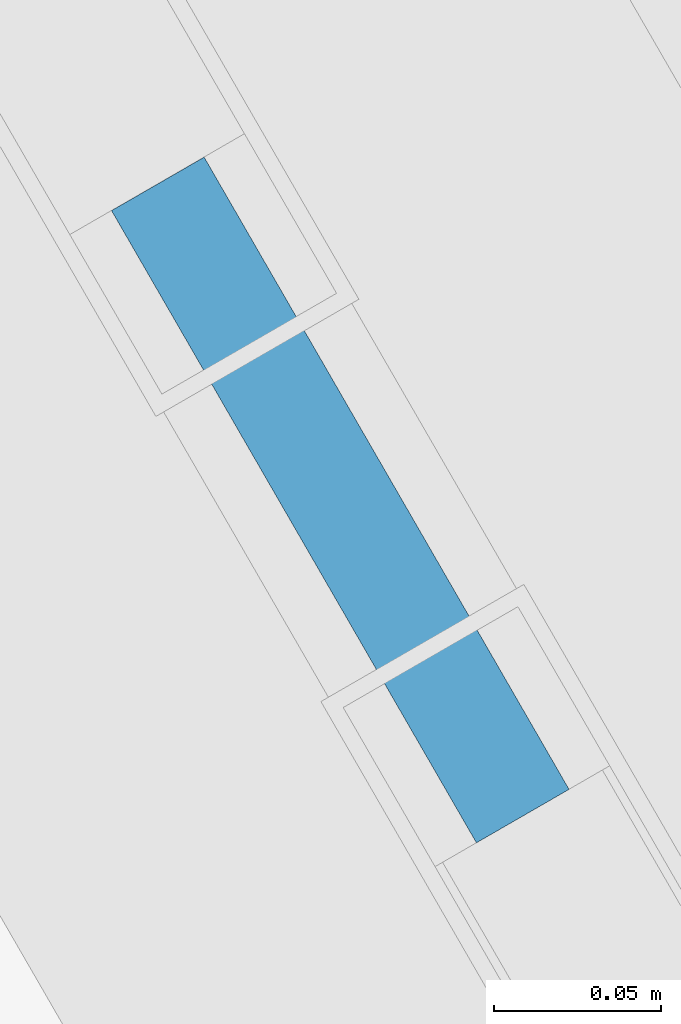
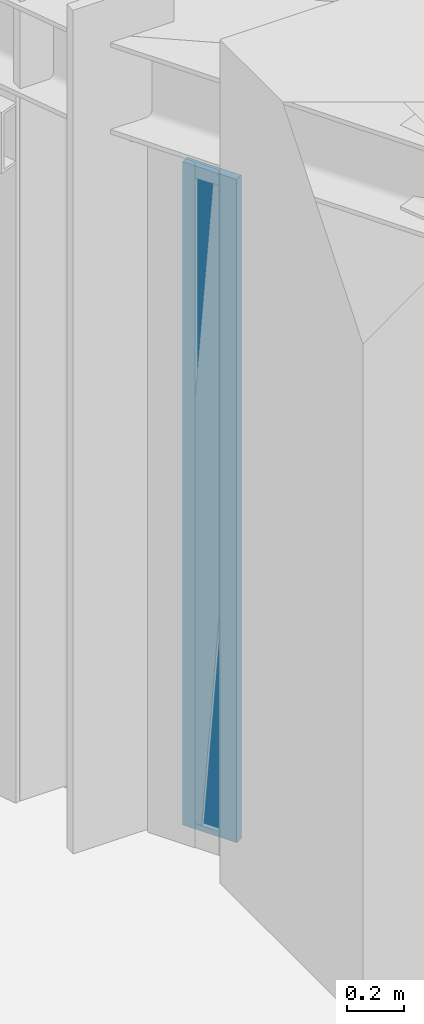
# One storey, part 12 of 19: 1 plate, 1 element without a shape of its own.
"""IFC4 building model written with IfcOpenShell, lengths in metres."""

from ifc_helpers import new_model, si_unit, derived_unit, direction, frame, origin, origin_2d, place, context, subcontext, project, spatial, rectangle, extrude, source, transform, mapped, material, layer, layer_set, type_object, element, aggregate, save


model = new_model("IFC4")

# Units and contexts
model_context = context("Model", 3, precision=1e-05, world=origin(), true_north=direction((0.0, 1.0)))
body_context = subcontext(model_context, "Body", "Model", "MODEL_VIEW")
ifc_project = project(units=[si_unit("LENGTHUNIT", "METRE"), si_unit("AREAUNIT", "SQUARE_METRE"), si_unit("VOLUMEUNIT", "CUBIC_METRE"), si_unit("PLANEANGLEUNIT", "RADIAN"), si_unit("MASSUNIT", "GRAM", prefix="KILO"), derived_unit("THERMALTRANSMITTANCEUNIT", [(si_unit("POWERUNIT", "WATT"), 1), (si_unit("LENGTHUNIT", "METRE"), -2), (si_unit("THERMODYNAMICTEMPERATUREUNIT", "KELVIN"), -1)])], contexts=[model_context])

# Site, building, storey
site_placement = place(None, origin())
site = spatial("IfcSite", under=ifc_project, at=site_placement, CompositionType="ELEMENT")
building_placement = place(site_placement, origin())
building = spatial("IfcBuilding", under=site, at=building_placement, Name="Korsvarv Bourse and Concert Hall", CompositionType="ELEMENT")
storey_placement = place(building_placement, frame((0.0, 0.0, 205.800048828125)))
storey = spatial("IfcBuildingStorey", under=building, at=storey_placement, Name="L53", CompositionType="ELEMENT", Elevation=205.800048828125)

# Curtain wall, plate
ifc_material_1 = material(Name="Anodised aluminium and triple low-E glazing", Category="glass")
ifc_layer_1 = layer(ifc_material_1, 0.199951171875)
ifc_layer_set_1 = layer_set([ifc_layer_1], Name="Anodised aluminium and triple low-E glazing")
curtain_wall_type = type_object("IfcCurtainWallType", Name="CW-SYS-3", PredefinedType="NOTDEFINED", material=ifc_layer_set_1)
curtain_wall_placement = place(storey_placement, origin())
curtain_wall = element("IfcCurtainWall", 1, at=curtain_wall_placement, inside=storey, type_object=curtain_wall_type, Name="L53 CW3 curtain wall CW-L53-F07-1", PredefinedType="NOTDEFINED")
ifc_material_2 = material(Name="Insulated spandrel glass", Category="glass")
ifc_layer_2 = layer(ifc_material_2, 0.031982421875)
ifc_layer_set_2 = layer_set([ifc_layer_2], Name="Insulated spandrel glass")
plate_type = type_object("IfcPlateType", Name="CWP-SPD1", PredefinedType="CURTAIN_PANEL", material=ifc_layer_set_2)
shared_shape = source(origin(), body_context, "Body", "SweptSolid", [
    extrude(rectangle(XDim=0.21826171875, YDim=0.031982421875, at=origin_2d()), origin(), (0.0, 0.0, 1.0), 2.830078125),
])
plate_placement = place(storey_placement, frame((23.786865234375, 33.105224609375, 0.06494140625), z_axis=(0.0, 0.0, 1.0), x_axis=(0.499891584645, -0.866087988372, 0.0)))
plate = element("IfcPlate", 2, at=plate_placement, type_object=plate_type, Name="CW3 spandrel shadow-box panel 1.1", PredefinedType="CURTAIN_PANEL", context=body_context, shape_type="MappedRepresentation", body=[
    mapped(shared_shape, transform((0.0, 0.0, 0.0), scale=1.0)),
])
aggregate(curtain_wall, [plate])

save(model, "model.ifc")
